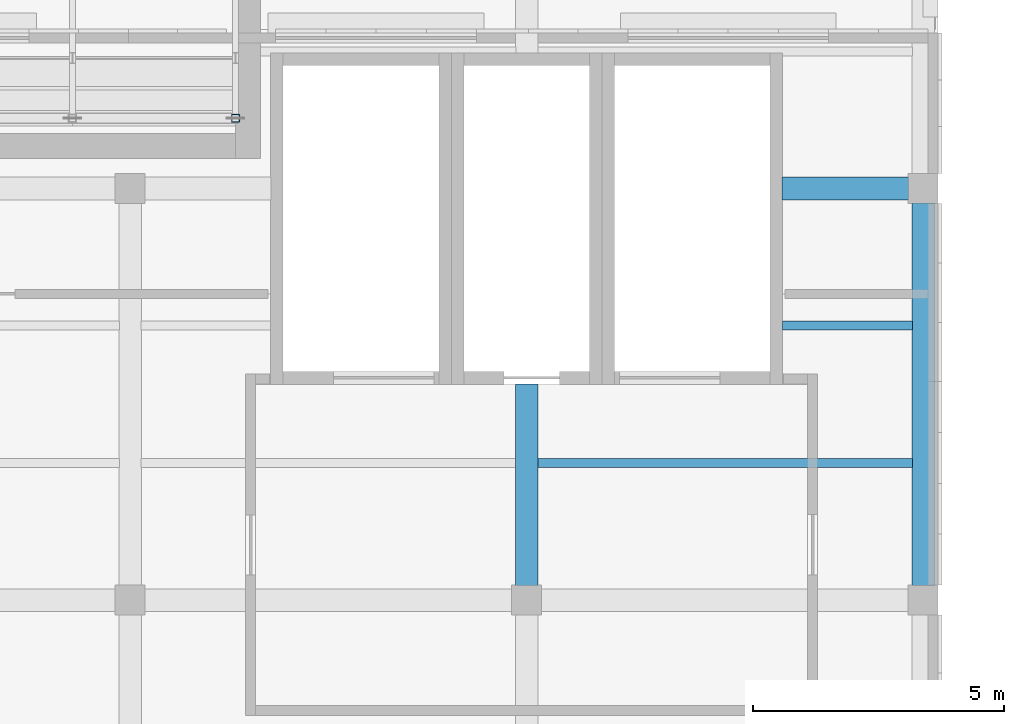
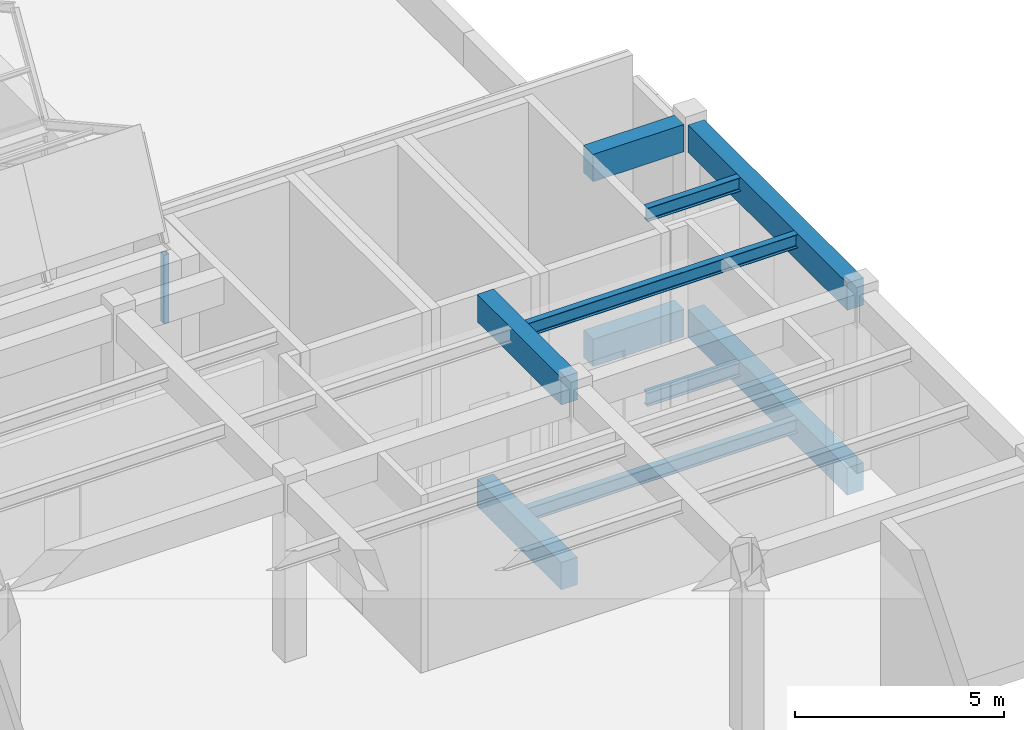
# One storey, part 50 of 132: 10 beams, 1 member.
"""IFC4 building model written with IfcOpenShell, lengths in metres."""

import ifcopenshell
import ifcopenshell.guid

model = None  # the IFC model being written
_history = None  # IfcOwnerHistory: only IFC2X3 demands one
_inside = {}  # id of a spatial element -> (the spatial element, [elements in it])
_under = {}  # id of a project, library or spatial element -> (it, [spatial elements below it])
_declared = {}  # id of a project -> (the project, [libraries it declares])
_typed = {}  # id of a type object -> (the type object, [elements of that type])
_made_of = {}  # id of a material, layer set ... -> (it, [elements and type objects made of it])


def new_model(schema):
    """Start an empty IFC model of exactly this schema.

    Asked for "IFC4X3", IfcOpenShell would pick the latest addendum, in which some entities
    have other attributes; the version numbers below select the first issue.
    IFC2X3 requires an IfcOwnerHistory on every rooted entity: one is made here for all.
    """
    global model, _history
    if schema == "IFC4X3":
        model = ifcopenshell.file(schema_version=(4, 3, 0, 0))
    else:
        model = ifcopenshell.file(schema=schema)
    _inside.clear()
    _under.clear()
    _declared.clear()
    _typed.clear()
    _made_of.clear()
    _history = None
    if model.schema == "IFC2X3":
        org = make("IfcOrganization", Name="unknown")
        user = make(
            "IfcPersonAndOrganization",
            ThePerson=make("IfcPerson", FamilyName="unknown"),
            TheOrganization=org,
        )
        app = make(
            "IfcApplication",
            ApplicationDeveloper=org,
            Version="unknown",
            ApplicationFullName="unknown",
            ApplicationIdentifier="unknown",
        )
        _history = make(
            "IfcOwnerHistory",
            OwningUser=user,
            OwningApplication=app,
            ChangeAction="ADDED",
            CreationDate=0,
        )
    return model


def make(cls, **values):
    """One entity of the class cls with the attributes given. An attribute that is None is left unset."""
    return model.create_entity(
        cls, **{name: value for name, value in values.items() if value is not None}
    )


def rooted(cls, **values):
    """An entity with a GlobalId (a new one), such as an element, a storey or a relation."""
    return make(cls, GlobalId=ifcopenshell.guid.new(), OwnerHistory=_history, **values)


def si_unit(unit_type, name, prefix=None):
    """IfcSIUnit, for example si_unit("LENGTHUNIT", "METRE", prefix="MILLI")."""
    return make("IfcSIUnit", UnitType=unit_type, Prefix=prefix, Name=name)


def assignment(units):
    """IfcUnitAssignment: the units of a project."""
    return None if units is None else make("IfcUnitAssignment", Units=units)


def point(xyz):
    """IfcCartesianPoint."""
    return None if xyz is None else make("IfcCartesianPoint", Coordinates=xyz)


def direction(xyz):
    """IfcDirection."""
    return None if xyz is None else make("IfcDirection", DirectionRatios=xyz)


def frame(location, z_axis=None, x_axis=None):
    """IfcAxis2Placement3D, a coordinate frame: its origin and axes. An axis left out is left unset."""
    return make(
        "IfcAxis2Placement3D",
        Location=point(location),
        Axis=direction(z_axis),
        RefDirection=direction(x_axis),
    )


def frame_2d(location, x_axis=None):
    """IfcAxis2Placement2D, a coordinate frame in the plane: its origin and x axis."""
    return make(
        "IfcAxis2Placement2D", Location=point(location), RefDirection=direction(x_axis)
    )


def origin():
    """The frame at (0, 0, 0) with its axes left unset."""
    return frame((0.0, 0.0, 0.0))


def origin_2d():
    """The frame at (0, 0) in the plane with its x axis left unset."""
    return frame_2d((0.0, 0.0))


def place(relative_to, where):
    """IfcLocalPlacement: puts the frame where relative to a parent placement (None: the world)."""
    return make(
        "IfcLocalPlacement", PlacementRelTo=relative_to, RelativePlacement=where
    )


def context(
    kind, dimensions, precision=None, world=None, true_north=None, identifier=None
):
    """IfcGeometricRepresentationContext, for example the 3D "Model" context."""
    return make(
        "IfcGeometricRepresentationContext",
        ContextIdentifier=identifier,
        ContextType=kind,
        CoordinateSpaceDimension=dimensions,
        Precision=precision,
        WorldCoordinateSystem=world,
        TrueNorth=true_north,
    )


def subcontext(parent, identifier, kind, view, scale=None):
    """IfcGeometricRepresentationSubContext, for example "Body" below "Model"."""
    return make(
        "IfcGeometricRepresentationSubContext",
        ContextIdentifier=identifier,
        ContextType=kind,
        ParentContext=parent,
        TargetScale=scale,
        TargetView=view,
    )


def project(units=None, contexts=None):
    """IfcProject with its units and contexts."""
    return rooted(
        "IfcProject",
        Name="project",
        RepresentationContexts=contexts,
        UnitsInContext=assignment(units),
    )


def spatial(cls, under=None, at=None, **own):
    """A site, building, storey or space (cls), placed at a placement, below another one or the project."""
    s = rooted(cls, ObjectPlacement=at, **own)
    if under is not None:
        _under.setdefault(under.id(), (under, []))[1].append(s)
    return s


def profile(cls, at=None, kind="AREA", **sizes):
    """A parametric profile (cls). Its sizes go by their IFC names, for example OverallWidth=200.0."""
    return make(cls, ProfileType=kind, Position=at, **sizes)


def rectangle(**sizes):
    """IfcRectangleProfileDef."""
    return profile("IfcRectangleProfileDef", **sizes)


def hollow_rectangle(**sizes):
    """IfcRectangleHollowProfileDef."""
    return profile("IfcRectangleHollowProfileDef", **sizes)


def i_section(**sizes):
    """IfcIShapeProfileDef."""
    return profile("IfcIShapeProfileDef", **sizes)


def extrude(swept, where, along, depth):
    """IfcExtrudedAreaSolid: the profile swept, set in the frame where, extruded along a direction by depth."""
    return make(
        "IfcExtrudedAreaSolid",
        SweptArea=swept,
        Position=where,
        ExtrudedDirection=direction(along),
        Depth=depth,
    )


def shape(context_of_items, identifier, shape_type, items):
    """IfcShapeRepresentation: the items that make up one representation, for example the "Body"."""
    return make(
        "IfcShapeRepresentation",
        ContextOfItems=context_of_items,
        RepresentationIdentifier=identifier,
        RepresentationType=shape_type,
        Items=items,
    )


def material(Name=None, Category=None):
    """IfcMaterial."""
    return make("IfcMaterial", Name=Name, Category=Category)


def material_profile(
    of_material, cross_section, Name=None, Category=None, Priority=None
):
    """IfcMaterialProfile: a cross section and its material."""
    return make(
        "IfcMaterialProfile",
        Name=Name,
        Material=of_material,
        Profile=cross_section,
        Priority=Priority,
        Category=Category,
    )


def profile_set(profiles, Name=None, composite=None):
    """IfcMaterialProfileSet."""
    return make(
        "IfcMaterialProfileSet",
        Name=Name,
        MaterialProfiles=profiles,
        CompositeProfile=composite,
    )


def made_of(thing, what):
    """Note that an element or type object is made of a material, layer set ...; save() writes the relation."""
    if what is not None:
        _made_of.setdefault(what.id(), (what, []))[1].append(thing)
    return thing


def type_object(cls, material=None, **own):
    """A type object (cls), such as IfcWallType, which elements share."""
    return made_of(rooted(cls, **own), material)


def element(
    cls,
    number,
    at=None,
    inside=None,
    cuts=None,
    type_object=None,
    material=None,
    context=None,
    identifier="Body",
    shape_type=None,
    held_by="IfcProductDefinitionShape",
    body=None,
    shapes=None,
    **own,
):
    """One element of the class cls, such as IfcWall. Its Tag is "e" and its number.

    at: its placement. inside: the storey or other place that contains it. cuts: it is an
    opening in that element (IfcRelVoidsElement). A single representation is given by context,
    identifier, shape_type and body (its items); several are given by shapes. held_by: the class
    of the entity that holds the representations. save() writes the other relations.
    """
    e = rooted(cls, Tag="e%d" % number, ObjectPlacement=at, **own)
    if body is not None:
        shapes = [shape(context, identifier, shape_type, body)]
    if shapes is not None:
        e.Representation = make(held_by, Representations=shapes)
    if inside is not None:
        _inside.setdefault(inside.id(), (inside, []))[1].append(e)
    if cuts is not None:
        rooted(
            "IfcRelVoidsElement", RelatingBuildingElement=cuts, RelatedOpeningElement=e
        )
    if type_object is not None:
        _typed.setdefault(type_object.id(), (type_object, []))[1].append(e)
    return made_of(e, material)


def aggregate(whole, parts):
    """IfcRelAggregates: a whole, such as a stair, and the parts it consists of."""
    return rooted("IfcRelAggregates", RelatingObject=whole, RelatedObjects=parts)


def save(model, path):
    """Write the relations noted so far, then the file.

    IfcRelAggregates (storeys below a building ...), IfcRelContainedInSpatialStructure (elements
    in a storey), IfcRelDefinesByType, IfcRelAssociatesMaterial and IfcRelDeclares: one each for
    every whole, place, type object, material and project.
    """
    for whole, parts in _under.values():
        aggregate(whole, parts)
    for where, things in _inside.values():
        rooted(
            "IfcRelContainedInSpatialStructure",
            RelatedElements=things,
            RelatingStructure=where,
        )
    for kind, things in _typed.values():
        rooted("IfcRelDefinesByType", RelatedObjects=things, RelatingType=kind)
    for what, things in _made_of.values():
        rooted("IfcRelAssociatesMaterial", RelatedObjects=things, RelatingMaterial=what)
    for by, libraries in _declared.values():
        rooted("IfcRelDeclares", RelatingContext=by, RelatedDefinitions=libraries)
    model.write(path)


model = new_model("IFC4")

# Units and contexts
model_context = context("Model", 3, precision=1e-05, world=origin(), true_north=direction((0.0, 1.0)))
body_context = subcontext(model_context, "Body", "Model", "MODEL_VIEW")
ifc_project = project(units=[si_unit("LENGTHUNIT", "METRE"), si_unit("AREAUNIT", "SQUARE_METRE"), si_unit("VOLUMEUNIT", "CUBIC_METRE"), si_unit("PLANEANGLEUNIT", "RADIAN"), si_unit("MASSUNIT", "GRAM", prefix="KILO")], contexts=[model_context])

# Site, building, storey
site_placement = place(None, origin())
site = spatial("IfcSite", under=ifc_project, at=site_placement, CompositionType="ELEMENT")
building_placement = place(site_placement, origin())
building = spatial("IfcBuilding", under=site, at=building_placement, Name="Lunette Opera House", CompositionType="ELEMENT")
storey_placement = place(building_placement, frame((0.0, 0.0, 17.0)))
storey = spatial("IfcBuildingStorey", under=building, at=storey_placement, Name="L03", CompositionType="ELEMENT", Elevation=17.0)

# Beams
ifc_material_1 = material(Name="Concrete C35/45", Category="concrete")
ifc_material_profile_1 = material_profile(ifc_material_1, rectangle(XDim=0.449951171875, YDim=0.800048828125, at=origin_2d()), Name="RC BEAM 450X800")
ifc_profile_set_1 = profile_set([ifc_material_profile_1], Name="Concrete C35/45")
beam_type_1 = type_object("IfcBeamType", Name="RC BEAM 450X800", PredefinedType="BEAM", material=ifc_profile_set_1)
beam_1_placement = place(storey_placement, frame((175.800048828125, 94.989990234375, -0.550048828125), z_axis=(0.0, 1.0, 0.0), x_axis=(-1.0, 0.0, 0.0)))
element("IfcBeam", 1, at=beam_1_placement, inside=storey, type_object=beam_type_1, Name="beam-WW-L03-L03-GY52", PredefinedType="BEAM", context=body_context, shape_type="SweptSolid", body=[
    extrude(rectangle(XDim=0.449951171875, YDim=0.800048828125, at=origin_2d()), origin(), (0.0, 0.0, 1.0), 4.02001953125),
])
beam_2_placement = place(storey_placement, frame((183.699951171875, 94.989990234375, -0.550048828125), z_axis=(0.0, 1.0, 0.0), x_axis=(-1.0, 0.0, 0.0)))
element("IfcBeam", 2, at=beam_2_placement, inside=storey, type_object=beam_type_1, Name="beam-WW-L03-L03-GY62", PredefinedType="BEAM", context=body_context, shape_type="SweptSolid", body=[
    extrude(rectangle(XDim=0.449951171875, YDim=0.800048828125, at=origin_2d()), origin(), (0.0, 0.0, 1.0), 7.6201171875),
])
beam_3_placement = place(storey_placement, frame((180.889892578125, 102.89990234375, -0.550048828125), z_axis=(1.0, 0.0, 0.0), x_axis=(0.0, 1.0, 0.0)))
element("IfcBeam", 3, at=beam_3_placement, inside=storey, type_object=beam_type_1, Name="beam-WW-L03-L03-GX53", PredefinedType="BEAM", context=body_context, shape_type="SweptSolid", body=[
    extrude(rectangle(XDim=0.449951171875, YDim=0.800048828125, at=origin_2d()), origin(), (0.0, 0.0, 1.0), 2.52001953125),
])
beam_4_placement = place(storey_placement, frame((175.800048828125, 94.989990234375, 4.85009765625), z_axis=(0.0, 1.0, 0.0), x_axis=(-1.0, 0.0, 0.0)))
element("IfcBeam", 4, at=beam_4_placement, inside=storey, type_object=beam_type_1, Name="beam-WW-L03-L03R-GY52", PredefinedType="BEAM", context=body_context, shape_type="SweptSolid", body=[
    extrude(rectangle(XDim=0.449951171875, YDim=0.800048828125, at=origin_2d()), origin(), (0.0, 0.0, 1.0), 4.02001953125),
])
beam_5_placement = place(storey_placement, frame((183.699951171875, 94.989990234375, 4.85009765625), z_axis=(0.0, 1.0, 0.0), x_axis=(-1.0, 0.0, 0.0)))
element("IfcBeam", 5, at=beam_5_placement, inside=storey, type_object=beam_type_1, Name="beam-WW-L03-L03R-GY62", PredefinedType="BEAM", context=body_context, shape_type="SweptSolid", body=[
    extrude(rectangle(XDim=0.449951171875, YDim=0.800048828125, at=origin_2d()), origin(), (0.0, 0.0, 1.0), 7.6201171875),
])
beam_6_placement = place(storey_placement, frame((180.889892578125, 102.89990234375, 4.85009765625), z_axis=(1.0, 0.0, 0.0), x_axis=(0.0, 1.0, 0.0)))
element("IfcBeam", 6, at=beam_6_placement, inside=storey, type_object=beam_type_1, Name="beam-WW-L03-L03R-GX53", PredefinedType="BEAM", context=body_context, shape_type="SweptSolid", body=[
    extrude(rectangle(XDim=0.449951171875, YDim=0.800048828125, at=origin_2d()), origin(), (0.0, 0.0, 1.0), 2.52001953125),
])
ifc_material_2 = material(Name="Steel S355", Category="steel")
ifc_material_profile_2 = material_profile(ifc_material_2, i_section(OverallWidth=0.179931640625, OverallDepth=0.39990234375, WebThickness=0.008544921875, FlangeThickness=0.013427734375, FilletRadius=0.02099609375, at=origin_2d()), Name="IPE 400")
ifc_profile_set_2 = profile_set([ifc_material_profile_2], Name="Steel S355")
beam_type_2 = type_object("IfcBeamType", Name="STEEL BEAM IPE 400", PredefinedType="BEAM", material=ifc_profile_set_2)
beam_7_placement = place(storey_placement, frame((176.014892578125, 97.43310546875, -0.35009765625), z_axis=(1.0, 0.0, 0.0), x_axis=(0.0, 1.0, 0.0)))
element("IfcBeam", 7, at=beam_7_placement, inside=storey, type_object=beam_type_2, Name="beam-WW-L03-L03-SX521", PredefinedType="BEAM", context=body_context, shape_type="SweptSolid", body=[
    extrude(i_section(OverallWidth=0.179931640625, OverallDepth=0.39990234375, WebThickness=0.008544921875, FlangeThickness=0.013427734375, FilletRadius=0.02099609375, at=origin_2d()), origin(), (0.0, 0.0, 1.0), 7.47021484375),
])
beam_8_placement = place(storey_placement, frame((180.89990234375, 100.1669921875, -0.35009765625), z_axis=(1.0, 0.0, 0.0), x_axis=(0.0, 1.0, 0.0)))
element("IfcBeam", 8, at=beam_8_placement, inside=storey, type_object=beam_type_2, Name="beam-WW-L03-L03-SX522", PredefinedType="BEAM", context=body_context, shape_type="SweptSolid", body=[
    extrude(i_section(OverallWidth=0.179931640625, OverallDepth=0.39990234375, WebThickness=0.008544921875, FlangeThickness=0.013427734375, FilletRadius=0.02099609375, at=origin_2d()), origin(), (0.0, 0.0, 1.0), 2.585205078125),
])
beam_9_placement = place(storey_placement, frame((176.014892578125, 97.43310546875, 5.050048828125), z_axis=(1.0, 0.0, 0.0), x_axis=(0.0, 1.0, 0.0)))
element("IfcBeam", 9, at=beam_9_placement, inside=storey, type_object=beam_type_2, Name="beam-WW-L03-L03R-SX521", PredefinedType="BEAM", context=body_context, shape_type="SweptSolid", body=[
    extrude(i_section(OverallWidth=0.179931640625, OverallDepth=0.39990234375, WebThickness=0.008544921875, FlangeThickness=0.013427734375, FilletRadius=0.02099609375, at=origin_2d()), origin(), (0.0, 0.0, 1.0), 7.47021484375),
])
beam_10_placement = place(storey_placement, frame((180.89990234375, 100.1669921875, 5.050048828125), z_axis=(1.0, 0.0, 0.0), x_axis=(0.0, 1.0, 0.0)))
element("IfcBeam", 10, at=beam_10_placement, inside=storey, type_object=beam_type_2, Name="beam-WW-L03-L03R-SX522", PredefinedType="BEAM", context=body_context, shape_type="SweptSolid", body=[
    extrude(i_section(OverallWidth=0.179931640625, OverallDepth=0.39990234375, WebThickness=0.008544921875, FlangeThickness=0.013427734375, FilletRadius=0.02099609375, at=origin_2d()), origin(), (0.0, 0.0, 1.0), 2.585205078125),
])

# Member
ifc_material_3 = material(Name="Steel S355", Category="steel")
ifc_material_profile_3 = material_profile(ifc_material_3, hollow_rectangle(XDim=0.159912109375, YDim=0.159912109375, WallThickness=0.008056640625, InnerFilletRadius=0.008056640625, OuterFilletRadius=0.01611328125, at=origin_2d()), Name="RHS 160X160X8")
ifc_profile_set_3 = profile_set([ifc_material_profile_3], Name="Steel S355")
member_type = type_object("IfcMemberType", Name="VERTICAL RHS 160X160X8", PredefinedType="POST", material=ifc_profile_set_3)
member_placement = place(storey_placement, frame((170.0, 104.300048828125, 3.205078125), z_axis=(0.0, 0.0, 1.0), x_axis=(1.0, 0.0, 0.0)))
element("IfcMember", 11, at=member_placement, inside=storey, type_object=member_type, Name="mem-WW-L03-WW-TR01-TV9", PredefinedType="POST", context=body_context, shape_type="SweptSolid", body=[
    extrude(hollow_rectangle(XDim=0.159912109375, YDim=0.159912109375, WallThickness=0.008056640625, InnerFilletRadius=0.008056640625, OuterFilletRadius=0.01611328125, at=origin_2d()), origin(), (0.0, 0.0, 1.0), 2.0),
])

save(model, "model.ifc")
